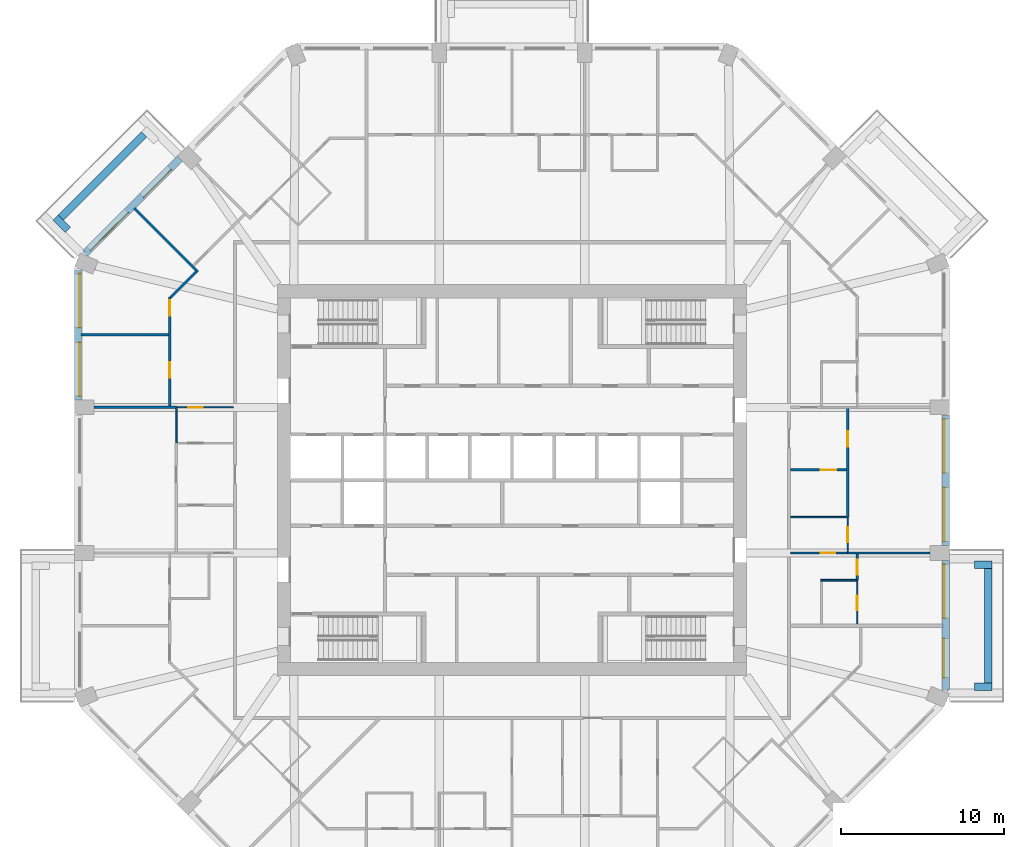
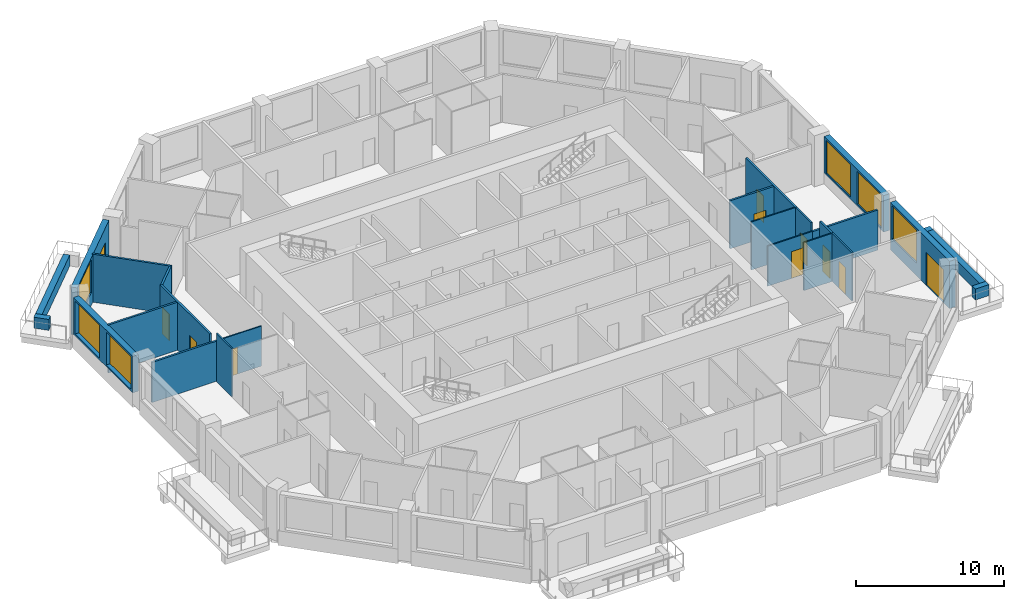
# One storey, part 7 of 12: 25 walls, 11 doors, 6 windows, 17 openings.
"""IFC4 building model written with IfcOpenShell, lengths in metres."""

from ifc_helpers import new_model, si_unit, direction, frame, frame_2d, origin, place, context, subcontext, project, spatial, rectangle, extrude, material, layer, layer_set, type_object, element, fill, save


model = new_model("IFC4")

# Units and contexts
model_context = context("Model", 3, precision=1e-05, world=origin(), true_north=direction((0.0, 1.0)))
body_context = subcontext(model_context, "Body", "Model", "MODEL_VIEW")
ifc_project = project(units=[si_unit("LENGTHUNIT", "METRE"), si_unit("AREAUNIT", "SQUARE_METRE"), si_unit("VOLUMEUNIT", "CUBIC_METRE"), si_unit("PLANEANGLEUNIT", "RADIAN"), si_unit("MASSUNIT", "GRAM", prefix="KILO")], contexts=[model_context])

# Site, building, storey
site_placement = place(None, origin())
site = spatial("IfcSite", under=ifc_project, at=site_placement, CompositionType="ELEMENT")
building_placement = place(site_placement, origin())
building = spatial("IfcBuilding", under=site, at=building_placement, Name="Msitu Wima Residences", CompositionType="ELEMENT")
storey_placement = place(building_placement, frame((0.0, 0.0, 123.300048828125)))
storey = spatial("IfcBuildingStorey", under=building, at=storey_placement, Name="L28", CompositionType="ELEMENT", Elevation=123.300048828125)

# Walls
ifc_material_1 = material(Name="Facing brick")
ifc_layer_1 = layer(ifc_material_1, 0.06494140625, Name="Facing brick")
ifc_material_2 = material(Name="Concrete C40/50", Category="concrete")
ifc_layer_2 = layer(ifc_material_2, 0.156005859375, Name="Concrete C40/50")
ifc_material_3 = material(Name="Waterproofing membrane")
ifc_layer_3 = layer(ifc_material_3, 0.00390625, Name="Waterproofing membrane")
ifc_material_4 = material(Name="Planting soil and planting")
ifc_layer_4 = layer(ifc_material_4, 0.22509765625, Name="Planting soil and planting")
ifc_layer_set_1 = layer_set([ifc_layer_1, ifc_layer_2, ifc_layer_3, ifc_layer_4], Name="Concrete C40/50")
wall_type_1 = type_object("IfcWallType", Name="Balcony planter PLANTER PL450", PredefinedType="USERDEFINED", material=ifc_layer_set_1)
wall_1_placement = place(storey_placement, frame((29.22509765625, -12.455810546875, 0.0), z_axis=(0.0, 0.0, 1.0), x_axis=(0.0, 1.0, 0.0)))
element("IfcWall", 1, at=wall_1_placement, inside=storey, type_object=wall_type_1, Name="Balcony planter E0 L28", ObjectType="PLANTER", PredefinedType="USERDEFINED", context=body_context, shape_type="SweptSolid", body=[
    extrude(rectangle(XDim=7.037109375, YDim=0.449951171875, at=frame_2d((3.5185546875, 0.0))), origin(), (0.0, 0.0, 1.0), 0.89990234375),
])
for number, where, z_axis, x_axis, name in (
    (2, (28.39990234375, -12.680908203125, 0.0), (0.0, 0.0, 1.0), (1.0, 0.0, 0.0), "Balcony planter E0 L28"),
    (3, (28.39990234375, -5.193603515625, 0.0), (0.0, 0.0, 1.0), (1.0, 0.0, 0.0), "Balcony planter E0 L28"),
):
    element("IfcWall", number, at=place(storey_placement, frame(where, z_axis=z_axis, x_axis=x_axis)), inside=storey, type_object=wall_type_1, Name=name, ObjectType="PLANTER", PredefinedType="USERDEFINED", context=body_context, shape_type="SweptSolid", body=[
        extrude(rectangle(XDim=1.050048828125, YDim=0.449951171875, at=frame_2d((0.52490234375, 0.0))), origin(), (0.0, 0.0, 1.0), 0.89990234375),
    ])
wall_2_placement = place(storey_placement, frame((-22.572265625, 21.228759765625, 0.0), z_axis=(0.0, 0.0, 1.0), x_axis=(-0.707106781187, -0.707106781187, 0.0)))
element("IfcWall", 4, at=wall_2_placement, inside=storey, type_object=wall_type_1, Name="Balcony planter NW1 L28", ObjectType="PLANTER", PredefinedType="USERDEFINED", context=body_context, shape_type="SweptSolid", body=[
    extrude(rectangle(XDim=7.23828125, YDim=0.449951171875, at=frame_2d((3.619140625, 0.0))), origin(), (0.0, 0.0, 1.0), 0.89990234375),
])
wall_3_placement = place(storey_placement, frame((-27.26611328125, 15.3681640625, 0.0), z_axis=(0.0, 0.0, 1.0), x_axis=(-0.707223014731, 0.706990528533, 0.0)))
element("IfcWall", 5, at=wall_3_placement, inside=storey, type_object=wall_type_1, Name="Balcony planter NW1 L28", ObjectType="PLANTER", PredefinedType="USERDEFINED", context=body_context, shape_type="SweptSolid", body=[
    extrude(rectangle(XDim=1.050048828125, YDim=0.449951171875, at=frame_2d((0.52490234375, 0.0))), origin(), (0.0, 0.0, 1.0), 0.89990234375),
])

# Wall, openings, door, window
ifc_material_5 = material(Name="Brick (red buff mix)", Category="masonry")
ifc_layer_5 = layer(ifc_material_5, 0.449951171875)
ifc_layer_set_2 = layer_set([ifc_layer_5], Name="Brick (red buff mix)")
wall_type_2 = type_object("IfcWallType", Name="Brick infill wall BW450", PredefinedType="SOLIDWALL", material=ifc_layer_set_2)
wall_4_placement = place(storey_placement, frame((26.625, -12.918701171875, 0.0), z_axis=(0.0, 0.0, 1.0), x_axis=(0.0, 1.0, 0.0)))
wall_4 = element("IfcWall", 6, at=wall_4_placement, inside=storey, type_object=wall_type_2, Name="Brick infill wall L28 E0", PredefinedType="SOLIDWALL", context=body_context, shape_type="SweptSolid", body=[
    extrude(rectangle(XDim=8.0, YDim=0.449951171875, at=frame_2d((4.0, 0.0))), origin(), (0.0, 0.0, 1.0), 3.89990234375),
])
opening_1_placement = place(wall_4_placement, frame((0.800048828125, 0.0, 0.0)))
opening_1 = element("IfcOpeningElement", 7, at=opening_1_placement, cuts=wall_4, Name="Opening D27-29.001", PredefinedType="OPENING", context=body_context, shape_type="SweptSolid", body=[
    extrude(rectangle(XDim=2.39990234375, YDim=2.699951171875, at=frame_2d((1.199951171875, 1.35009765625))), frame((0.0, 0.23486328125, 0.0), z_axis=(0.0, -1.0, 0.0), x_axis=(1.0, 0.0, 0.0)), (0.0, 0.0, 1.0), 0.469970703125),
])
opening_2_placement = place(wall_4_placement, frame((4.4501953125, 0.0, 1.050048828125)))
opening_2 = element("IfcOpeningElement", 8, at=opening_2_placement, cuts=wall_4, Name="Opening W27-29.001", PredefinedType="OPENING", context=body_context, shape_type="SweptSolid", body=[
    extrude(rectangle(XDim=3.300048828125, YDim=2.699951171875, at=frame_2d((1.64990234375, 1.35009765625))), frame((0.0, 0.23486328125, 0.0), z_axis=(0.0, -1.0, 0.0), x_axis=(1.0, 0.0, 0.0)), (0.0, 0.0, 1.0), 0.469970703125),
])
ifc_material_6 = material(Name="Anodised aluminium, bronze finish, clear low-emissivity double glazing", Category="aluminium")
door_type_1 = type_object("IfcDoorType", Name="Balcony door D2400x2700", OperationType="SLIDING_TO_LEFT", PredefinedType="DOOR", material=ifc_material_6)
door_1_placement = place(opening_1_placement, origin())
door_1 = element("IfcDoor", 9, at=door_1_placement, inside=storey, type_object=door_type_1, Name="Balcony door L28 E0", OperationType="SINGLE_SWING_LEFT", OverallHeight=2.699951171875, OverallWidth=2.39990234375, PredefinedType="DOOR", context=body_context, shape_type="SweptSolid", body=[
    extrude(rectangle(XDim=2.39990234375, YDim=2.699951171875, at=frame_2d((1.199951171875, 1.35009765625))), frame((0.0, 0.1298828125, 0.0), z_axis=(0.0, -1.0, 0.0), x_axis=(1.0, 0.0, 0.0)), (0.0, 0.0, 1.0), 0.050048828125),
])
fill(opening_1, door_1)
window_type = type_object("IfcWindowType", Name="Window W3300x2700", PartitioningType="DOUBLE_PANEL_VERTICAL", PredefinedType="WINDOW", material=ifc_material_6)
window_1_placement = place(opening_2_placement, origin())
window_1 = element("IfcWindow", 10, at=window_1_placement, inside=storey, type_object=window_type, Name="Window L28 E0.2", OverallHeight=2.699951171875, OverallWidth=3.300048828125, PartitioningType="SINGLE_PANEL", PredefinedType="WINDOW", context=body_context, shape_type="SweptSolid", body=[
    extrude(rectangle(XDim=3.300048828125, YDim=2.699951171875, at=frame_2d((1.64990234375, 1.35009765625))), frame((0.0, 0.135009765625, 0.0), z_axis=(0.0, -1.0, 0.0), x_axis=(1.0, 0.0, 0.0)), (0.0, 0.0, 1.0), 0.06005859375),
])
fill(opening_2, window_1)

# Wall, openings, windows
wall_5_placement = place(storey_placement, frame((26.625, -4.0185546875, 0.89990234375), z_axis=(0.0, 0.0, 1.0), x_axis=(0.0, 1.0, 0.0)))
wall_5 = element("IfcWall", 11, at=wall_5_placement, inside=storey, type_object=wall_type_2, Name="Brick infill wall L28 E1", PredefinedType="SOLIDWALL", context=body_context, shape_type="SweptSolid", body=[
    extrude(rectangle(XDim=8.037109375, YDim=0.449951171875, at=frame_2d((4.0185546875, 0.0))), origin(), (0.0, 0.0, 1.0), 3.0),
])
opening_3_placement = place(wall_5_placement, frame((0.2685546875, 0.0, 0.14990234375)))
opening_3 = element("IfcOpeningElement", 12, at=opening_3_placement, cuts=wall_5, Name="Opening W27-29.002", PredefinedType="OPENING", context=body_context, shape_type="SweptSolid", body=[
    extrude(rectangle(XDim=3.300048828125, YDim=2.699951171875, at=frame_2d((1.64990234375, 1.35009765625))), frame((0.0, 0.23486328125, 0.0), z_axis=(0.0, -1.0, 0.0), x_axis=(1.0, 0.0, 0.0)), (0.0, 0.0, 1.0), 0.469970703125),
])
opening_4_placement = place(wall_5_placement, frame((4.46875, 0.0, 0.14990234375)))
opening_4 = element("IfcOpeningElement", 13, at=opening_4_placement, cuts=wall_5, Name="Opening W27-29.003", PredefinedType="OPENING", context=body_context, shape_type="SweptSolid", body=[
    extrude(rectangle(XDim=3.300048828125, YDim=2.699951171875, at=frame_2d((1.64990234375, 1.35009765625))), frame((0.0, 0.23486328125, 0.0), z_axis=(0.0, -1.0, 0.0), x_axis=(1.0, 0.0, 0.0)), (0.0, 0.0, 1.0), 0.469970703125),
])
window_2_placement = place(opening_3_placement, origin())
window_2 = element("IfcWindow", 14, at=window_2_placement, inside=storey, type_object=window_type, Name="Window L28 E1.1", OverallHeight=2.699951171875, OverallWidth=3.300048828125, PartitioningType="SINGLE_PANEL", PredefinedType="WINDOW", context=body_context, shape_type="SweptSolid", body=[
    extrude(rectangle(XDim=3.300048828125, YDim=2.699951171875, at=frame_2d((1.64990234375, 1.35009765625))), frame((0.0, 0.135009765625, 0.0), z_axis=(0.0, -1.0, 0.0), x_axis=(1.0, 0.0, 0.0)), (0.0, 0.0, 1.0), 0.06005859375),
])
fill(opening_3, window_2)
window_3_placement = place(opening_4_placement, origin())
window_3 = element("IfcWindow", 15, at=window_3_placement, inside=storey, type_object=window_type, Name="Window L28 E1.2", OverallHeight=2.699951171875, OverallWidth=3.300048828125, PartitioningType="SINGLE_PANEL", PredefinedType="WINDOW", context=body_context, shape_type="SweptSolid", body=[
    extrude(rectangle(XDim=3.300048828125, YDim=2.699951171875, at=frame_2d((1.64990234375, 1.35009765625))), frame((0.0, 0.135009765625, 0.0), z_axis=(0.0, -1.0, 0.0), x_axis=(1.0, 0.0, 0.0)), (0.0, 0.0, 1.0), 0.06005859375),
])
fill(opening_4, window_3)

# Wall, openings, door, window
wall_6_placement = place(storey_placement, frame((-20.380126953125, 19.743896484375, 0.0), z_axis=(0.0, 0.0, 1.0), x_axis=(-0.707106781187, -0.707106781187, 0.0)))
wall_6 = element("IfcWall", 16, at=wall_6_placement, inside=storey, type_object=wall_type_2, Name="Brick infill wall L28 NW1", PredefinedType="SOLIDWALL", context=body_context, shape_type="SweptSolid", body=[
    extrude(rectangle(XDim=8.251220703125, YDim=0.449951171875, at=frame_2d((4.12548828125, 0.0))), origin(), (0.0, 0.0, 1.0), 3.89990234375),
])
opening_5_placement = place(wall_6_placement, frame((0.86279296875, 0.0, 0.0)))
opening_5 = element("IfcOpeningElement", 17, at=opening_5_placement, cuts=wall_6, Name="Opening D27-29.004", PredefinedType="OPENING", context=body_context, shape_type="SweptSolid", body=[
    extrude(rectangle(XDim=2.39990234375, YDim=2.699951171875, at=frame_2d((1.199951171875, 1.35009765625))), frame((0.0, 0.23486328125, 0.0), z_axis=(0.0, -1.0, 0.0), x_axis=(1.0, 0.0, 0.0)), (0.0, 0.0, 1.0), 0.469970703125),
])
opening_6_placement = place(wall_6_placement, frame((4.57568359375, 0.0, 1.050048828125)))
opening_6 = element("IfcOpeningElement", 18, at=opening_6_placement, cuts=wall_6, Name="Opening W27-29.016", PredefinedType="OPENING", context=body_context, shape_type="SweptSolid", body=[
    extrude(rectangle(XDim=3.300048828125, YDim=2.699951171875, at=frame_2d((1.64990234375, 1.35009765625))), frame((0.0, 0.23486328125, 0.0), z_axis=(0.0, -1.0, 0.0), x_axis=(1.0, 0.0, 0.0)), (0.0, 0.0, 1.0), 0.469970703125),
])
door_2_placement = place(opening_5_placement, origin())
door_2 = element("IfcDoor", 19, at=door_2_placement, inside=storey, type_object=door_type_1, Name="Balcony door L28 NW1", OperationType="SINGLE_SWING_LEFT", OverallHeight=2.699951171875, OverallWidth=2.39990234375, PredefinedType="DOOR", context=body_context, shape_type="SweptSolid", body=[
    extrude(rectangle(XDim=2.39990234375, YDim=2.699951171875, at=frame_2d((1.199951171875, 1.35009765625))), frame((0.0, 0.1298828125, 0.0), z_axis=(0.0, -1.0, 0.0), x_axis=(1.0, 0.0, 0.0)), (0.0, 0.0, 1.0), 0.050048828125),
])
fill(opening_5, door_2)
window_4_placement = place(opening_6_placement, origin())
window_4 = element("IfcWindow", 20, at=window_4_placement, inside=storey, type_object=window_type, Name="Window L28 NW1.2", OverallHeight=2.699951171875, OverallWidth=3.300048828125, PartitioningType="SINGLE_PANEL", PredefinedType="WINDOW", context=body_context, shape_type="SweptSolid", body=[
    extrude(rectangle(XDim=3.300048828125, YDim=2.699951171875, at=frame_2d((1.64990234375, 1.35009765625))), frame((0.0, 0.135009765625, 0.0), z_axis=(0.0, -1.0, 0.0), x_axis=(1.0, 0.0, 0.0)), (0.0, 0.0, 1.0), 0.06005859375),
])
fill(opening_6, window_4)

# Wall, openings, windows
wall_7_placement = place(storey_placement, frame((-26.625, 12.918701171875, 0.89990234375), z_axis=(0.0, 0.0, 1.0), x_axis=(0.0, -1.0, 0.0)))
wall_7 = element("IfcWall", 21, at=wall_7_placement, inside=storey, type_object=wall_type_2, Name="Brick infill wall L28 W0", PredefinedType="SOLIDWALL", context=body_context, shape_type="SweptSolid", body=[
    extrude(rectangle(XDim=8.0, YDim=0.449951171875, at=frame_2d((4.0, 0.0))), origin(), (0.0, 0.0, 1.0), 3.0),
])
opening_7_placement = place(wall_7_placement, frame((0.25, 0.0, 0.14990234375)))
opening_7 = element("IfcOpeningElement", 22, at=opening_7_placement, cuts=wall_7, Name="Opening W27-29.029", PredefinedType="OPENING", context=body_context, shape_type="SweptSolid", body=[
    extrude(rectangle(XDim=3.300048828125, YDim=2.699951171875, at=frame_2d((1.64990234375, 1.35009765625))), frame((0.0, 0.23486328125, 0.0), z_axis=(0.0, -1.0, 0.0), x_axis=(1.0, 0.0, 0.0)), (0.0, 0.0, 1.0), 0.469970703125),
])
opening_8_placement = place(wall_7_placement, frame((4.4501953125, 0.0, 0.14990234375)))
opening_8 = element("IfcOpeningElement", 23, at=opening_8_placement, cuts=wall_7, Name="Opening W27-29.030", PredefinedType="OPENING", context=body_context, shape_type="SweptSolid", body=[
    extrude(rectangle(XDim=3.300048828125, YDim=2.699951171875, at=frame_2d((1.64990234375, 1.35009765625))), frame((0.0, 0.23486328125, 0.0), z_axis=(0.0, -1.0, 0.0), x_axis=(1.0, 0.0, 0.0)), (0.0, 0.0, 1.0), 0.469970703125),
])
window_5_placement = place(opening_7_placement, origin())
window_5 = element("IfcWindow", 24, at=window_5_placement, inside=storey, type_object=window_type, Name="Window L28 W0.1", OverallHeight=2.699951171875, OverallWidth=3.300048828125, PartitioningType="SINGLE_PANEL", PredefinedType="WINDOW", context=body_context, shape_type="SweptSolid", body=[
    extrude(rectangle(XDim=3.300048828125, YDim=2.699951171875, at=frame_2d((1.64990234375, 1.35009765625))), frame((0.0, 0.135009765625, 0.0), z_axis=(0.0, -1.0, 0.0), x_axis=(1.0, 0.0, 0.0)), (0.0, 0.0, 1.0), 0.06005859375),
])
fill(opening_7, window_5)
window_6_placement = place(opening_8_placement, origin())
window_6 = element("IfcWindow", 25, at=window_6_placement, inside=storey, type_object=window_type, Name="Window L28 W0.2", OverallHeight=2.699951171875, OverallWidth=3.300048828125, PartitioningType="SINGLE_PANEL", PredefinedType="WINDOW", context=body_context, shape_type="SweptSolid", body=[
    extrude(rectangle(XDim=3.300048828125, YDim=2.699951171875, at=frame_2d((1.64990234375, 1.35009765625))), frame((0.0, 0.135009765625, 0.0), z_axis=(0.0, -1.0, 0.0), x_axis=(1.0, 0.0, 0.0)), (0.0, 0.0, 1.0), 0.06005859375),
])
fill(opening_8, window_6)

# Walls
ifc_material_7 = material(Name="Plaster")
ifc_layer_6 = layer(ifc_material_7, 0.011962890625, Name="Plaster")
ifc_material_8 = material(Name="Concrete blockwork", Category="masonry")
ifc_layer_7 = layer(ifc_material_8, 0.1259765625, Name="Concrete blockwork")
ifc_layer_8 = layer(ifc_material_7, 0.011962890625, Name="Plaster")
ifc_layer_set_3 = layer_set([ifc_layer_6, ifc_layer_7, ifc_layer_8], Name="Concrete blockwork")
wall_type_3 = type_object("IfcWallType", Name="Partition PW150", PredefinedType="PARTITIONING", material=ifc_layer_set_3)
wall_8_placement = place(storey_placement, frame((-25.64990234375, 4.46875, 0.0), z_axis=(0.0, 0.0, 1.0), x_axis=(1.0, 0.0, 0.0)))
element("IfcWall", 26, at=wall_8_placement, inside=storey, type_object=wall_type_3, Name="Partition", PredefinedType="PARTITIONING", context=body_context, shape_type="SweptSolid", body=[
    extrude(rectangle(XDim=5.06982421875, YDim=0.14990234375, at=frame_2d((2.534912109375, 0.0))), origin(), (0.0, 0.0, 1.0), 3.300048828125),
])
wall_9_placement = place(storey_placement, frame((-26.455078125, 8.937255859375, 0.0), z_axis=(0.0, 0.0, 1.0), x_axis=(1.0, 0.0, 0.0)))
element("IfcWall", 27, at=wall_9_placement, inside=storey, type_object=wall_type_3, Name="Partition", PredefinedType="PARTITIONING", context=body_context, shape_type="SweptSolid", body=[
    extrude(rectangle(XDim=5.380126953125, YDim=0.14990234375, at=frame_2d((2.68994140625, 0.0))), origin(), (0.0, 0.0, 1.0), 3.949951171875),
])
wall_10_placement = place(storey_placement, frame((-23.1904296875, 16.693359375, 0.0), z_axis=(0.0, 0.0, 1.0), x_axis=(0.707106781187, -0.707106781187, 0.0)))
element("IfcWall", 28, at=wall_10_placement, inside=storey, type_object=wall_type_3, Name="Partition", PredefinedType="PARTITIONING", context=body_context, shape_type="SweptSolid", body=[
    extrude(rectangle(XDim=5.530029296875, YDim=0.14990234375, at=frame_2d((2.76513671875, 0.0))), origin(), (0.0, 0.0, 1.0), 3.949951171875),
])

# Wall, openings, doors
wall_11_placement = place(storey_placement, frame((-21.0, 4.543701171875, 0.0), z_axis=(0.0, 0.0, 1.0), x_axis=(0.0, 1.0, 0.0)))
wall_11 = element("IfcWall", 29, at=wall_11_placement, inside=storey, type_object=wall_type_3, Name="Partition", PredefinedType="PARTITIONING", context=body_context, shape_type="SweptSolid", body=[
    extrude(rectangle(XDim=6.700439453125, YDim=0.14990234375, at=frame_2d((3.35009765625, 0.0))), origin(), (0.0, 0.0, 1.0), 3.949951171875),
])
opening_9_placement = place(wall_11_placement, frame((1.75, 0.0, 0.0)))
opening_9 = element("IfcOpeningElement", 30, at=opening_9_placement, cuts=wall_11, Name="Opening D27-29.054", PredefinedType="OPENING", context=body_context, shape_type="SweptSolid", body=[
    extrude(rectangle(XDim=0.949951171875, YDim=2.199951171875, at=frame_2d((0.47509765625, 1.10009765625))), frame((0.0, 0.0849609375, 0.0), z_axis=(0.0, -1.0, 0.0), x_axis=(1.0, 0.0, 0.0)), (0.0, 0.0, 1.0), 0.169921875),
])
opening_10_placement = place(wall_11_placement, frame((5.550048828125, 0.0, 0.0)))
opening_10 = element("IfcOpeningElement", 31, at=opening_10_placement, cuts=wall_11, Name="Opening D27-29.063", PredefinedType="OPENING", context=body_context, shape_type="SweptSolid", body=[
    extrude(rectangle(XDim=0.949951171875, YDim=2.199951171875, at=frame_2d((0.47509765625, 1.10009765625))), frame((0.0, 0.0849609375, 0.0), z_axis=(0.0, -1.0, 0.0), x_axis=(1.0, 0.0, 0.0)), (0.0, 0.0, 1.0), 0.169921875),
])
ifc_material_9 = material(Name="Timber flush door", Category="wood")
door_type_2 = type_object("IfcDoorType", Name="Room door D12 950x2200", OperationType="SINGLE_SWING_LEFT", PredefinedType="DOOR", material=ifc_material_9)
door_3_placement = place(opening_9_placement, origin())
door_3 = element("IfcDoor", 32, at=door_3_placement, inside=storey, type_object=door_type_2, Name="Room door", OperationType="SINGLE_SWING_RIGHT", OverallHeight=2.199951171875, OverallWidth=0.949951171875, PredefinedType="DOOR", context=body_context, shape_type="SweptSolid", body=[
    extrude(rectangle(XDim=0.949951171875, YDim=2.199951171875, at=frame_2d((0.47509765625, 1.10009765625))), frame((0.0, 0.02490234375, 0.0), z_axis=(0.0, -1.0, 0.0), x_axis=(1.0, 0.0, 0.0)), (0.0, 0.0, 1.0), 0.050048828125),
])
fill(opening_9, door_3)
door_4_placement = place(opening_10_placement, origin())
door_4 = element("IfcDoor", 33, at=door_4_placement, inside=storey, type_object=door_type_2, Name="Room door", OperationType="SINGLE_SWING_LEFT", OverallHeight=2.199951171875, OverallWidth=0.949951171875, PredefinedType="DOOR", context=body_context, shape_type="SweptSolid", body=[
    extrude(rectangle(XDim=0.949951171875, YDim=2.199951171875, at=frame_2d((0.47509765625, 1.10009765625))), frame((0.0, 0.02490234375, 0.0), z_axis=(0.0, -1.0, 0.0), x_axis=(1.0, 0.0, 0.0)), (0.0, 0.0, 1.0), 0.050048828125),
])
fill(opening_10, door_4)

# Wall
wall_12_placement = place(storey_placement, frame((-20.947021484375, 11.22216796875, 0.0), z_axis=(0.0, 0.0, 1.0), x_axis=(0.707106781187, 0.707106781187, 0.0)))
element("IfcWall", 34, at=wall_12_placement, inside=storey, type_object=wall_type_3, Name="Partition", PredefinedType="PARTITIONING", context=body_context, shape_type="SweptSolid", body=[
    extrude(rectangle(XDim=2.207275390625, YDim=0.14990234375, at=frame_2d((1.103515625, 0.0))), origin(), (0.0, 0.0, 1.0), 3.949951171875),
])

# Wall, opening, door
wall_13_placement = place(storey_placement, frame((17.10009765625, 0.63134765625, 0.0), z_axis=(0.0, 0.0, 1.0), x_axis=(1.0, 0.0, 0.0)))
wall_13 = element("IfcWall", 35, at=wall_13_placement, inside=storey, type_object=wall_type_3, Name="Partition", PredefinedType="PARTITIONING", context=body_context, shape_type="SweptSolid", body=[
    extrude(rectangle(XDim=3.4248046875, YDim=0.14990234375, at=frame_2d((1.71240234375, 0.0))), origin(), (0.0, 0.0, 1.0), 3.949951171875),
])
opening_11_placement = place(wall_13_placement, frame((1.85009765625, 0.0, 0.0)))
opening_11 = element("IfcOpeningElement", 36, at=opening_11_placement, cuts=wall_13, Name="Opening D27-29.040", PredefinedType="OPENING", context=body_context, shape_type="SweptSolid", body=[
    extrude(rectangle(XDim=0.949951171875, YDim=2.199951171875, at=frame_2d((0.47509765625, 1.10009765625))), frame((0.0, 0.0849609375, 0.0), z_axis=(0.0, -1.0, 0.0), x_axis=(1.0, 0.0, 0.0)), (0.0, 0.0, 1.0), 0.169921875),
])
door_5_placement = place(opening_11_placement, origin())
door_5 = element("IfcDoor", 37, at=door_5_placement, inside=storey, type_object=door_type_2, Name="Room door", OperationType="SINGLE_SWING_LEFT", OverallHeight=2.199951171875, OverallWidth=0.949951171875, PredefinedType="DOOR", context=body_context, shape_type="SweptSolid", body=[
    extrude(rectangle(XDim=0.949951171875, YDim=2.199951171875, at=frame_2d((0.47509765625, 1.10009765625))), frame((0.0, 0.02490234375, 0.0), z_axis=(0.0, -1.0, 0.0), x_axis=(1.0, 0.0, 0.0)), (0.0, 0.0, 1.0), 0.050048828125),
])
fill(opening_11, door_5)

# Wall
wall_14_placement = place(storey_placement, frame((20.580078125, -4.46875, 0.0), z_axis=(0.0, 0.0, 1.0), x_axis=(1.0, 0.0, 0.0)))
element("IfcWall", 38, at=wall_14_placement, inside=storey, type_object=wall_type_3, Name="Partition", PredefinedType="PARTITIONING", context=body_context, shape_type="SweptSolid", body=[
    extrude(rectangle(XDim=5.06982421875, YDim=0.14990234375, at=frame_2d((2.534912109375, 0.0))), origin(), (0.0, 0.0, 1.0), 3.300048828125),
])

# Wall, opening, door
wall_15_placement = place(storey_placement, frame((20.60009765625, -2.28857421875, 0.0), z_axis=(0.0, 0.0, 1.0), x_axis=(0.0, 1.0, 0.0)))
wall_15 = element("IfcWall", 39, at=wall_15_placement, inside=storey, type_object=wall_type_3, Name="Partition", PredefinedType="PARTITIONING", context=body_context, shape_type="SweptSolid", body=[
    extrude(rectangle(XDim=6.707275390625, YDim=0.14990234375, at=frame_2d((3.353515625, 0.0))), origin(), (0.0, 0.0, 1.0), 3.949951171875),
])
opening_12_placement = place(wall_15_placement, frame((4.35009765625, 0.0, 0.0)))
opening_12 = element("IfcOpeningElement", 40, at=opening_12_placement, cuts=wall_15, Name="Opening D27-29.037", PredefinedType="OPENING", context=body_context, shape_type="SweptSolid", body=[
    extrude(rectangle(XDim=0.949951171875, YDim=2.199951171875, at=frame_2d((0.47509765625, 1.10009765625))), frame((0.0, 0.0849609375, 0.0), z_axis=(0.0, -1.0, 0.0), x_axis=(1.0, 0.0, 0.0)), (0.0, 0.0, 1.0), 0.169921875),
])
door_6_placement = place(opening_12_placement, origin())
door_6 = element("IfcDoor", 41, at=door_6_placement, inside=storey, type_object=door_type_2, Name="Room door", OperationType="SINGLE_SWING_LEFT", OverallHeight=2.199951171875, OverallWidth=0.949951171875, PredefinedType="DOOR", context=body_context, shape_type="SweptSolid", body=[
    extrude(rectangle(XDim=0.949951171875, YDim=2.199951171875, at=frame_2d((0.47509765625, 1.10009765625))), frame((0.0, 0.02490234375, 0.0), z_axis=(0.0, -1.0, 0.0), x_axis=(1.0, 0.0, 0.0)), (0.0, 0.0, 1.0), 0.050048828125),
])
fill(opening_12, door_6)

wall_16_placement = place(storey_placement, frame((21.199951171875, -6.1171875, 0.0), z_axis=(0.0, 0.0, 1.0), x_axis=(0.0, 1.0, 0.0)))
wall_16 = element("IfcWall", 42, at=wall_16_placement, inside=storey, type_object=wall_type_3, Name="Partition", PredefinedType="PARTITIONING", context=body_context, shape_type="SweptSolid", body=[
    extrude(rectangle(XDim=1.573486328125, YDim=0.14990234375, at=frame_2d((0.78662109375, 0.0))), origin(), (0.0, 0.0, 1.0), 3.949951171875),
])
opening_13_placement = place(wall_16_placement, frame((0.300048828125, 0.0, 0.0)))
opening_13 = element("IfcOpeningElement", 43, at=opening_13_placement, cuts=wall_16, Name="Opening D27-29.046", PredefinedType="OPENING", context=body_context, shape_type="SweptSolid", body=[
    extrude(rectangle(XDim=0.949951171875, YDim=2.199951171875, at=frame_2d((0.47509765625, 1.10009765625))), frame((0.0, 0.0849609375, 0.0), z_axis=(0.0, -1.0, 0.0), x_axis=(1.0, 0.0, 0.0)), (0.0, 0.0, 1.0), 0.169921875),
])
door_7_placement = place(opening_13_placement, origin())
door_7 = element("IfcDoor", 44, at=door_7_placement, inside=storey, type_object=door_type_2, Name="Room door", OperationType="SINGLE_SWING_LEFT", OverallHeight=2.199951171875, OverallWidth=0.949951171875, PredefinedType="DOOR", context=body_context, shape_type="SweptSolid", body=[
    extrude(rectangle(XDim=0.949951171875, YDim=2.199951171875, at=frame_2d((0.47509765625, 1.10009765625))), frame((0.0, 0.02490234375, 0.0), z_axis=(0.0, -1.0, 0.0), x_axis=(1.0, 0.0, 0.0)), (0.0, 0.0, 1.0), 0.050048828125),
])
fill(opening_13, door_7)

ifc_material_10 = material(Name="Ceramic tiles")
ifc_layer_9 = layer(ifc_material_10, 0.008056640625, Name="Ceramic tiles")
ifc_material_11 = material(Name="Moisture-resistant board")
ifc_layer_10 = layer(ifc_material_11, 0.012451171875, Name="Moisture-resistant board")
ifc_material_12 = material(Name="Light-gauge stud framing with mineral wool")
ifc_layer_11 = layer(ifc_material_12, 0.06689453125, Name="Light-gauge stud framing with mineral wool")
ifc_layer_12 = layer(ifc_material_11, 0.012451171875, Name="Moisture-resistant board")
ifc_layer_set_4 = layer_set([ifc_layer_9, ifc_layer_10, ifc_layer_11, ifc_layer_12], Name="Light-gauge stud framing with mineral wool")
wall_type_4 = type_object("IfcWallType", Name="Wet wall PW100", PredefinedType="PARTITIONING", material=ifc_layer_set_4)
wall_17_placement = place(storey_placement, frame((-20.580078125, 4.46875, 0.0), z_axis=(0.0, 0.0, 1.0), x_axis=(1.0, 0.0, 0.0)))
wall_17 = element("IfcWall", 45, at=wall_17_placement, inside=storey, type_object=wall_type_4, Name="Wet wall", PredefinedType="PARTITIONING", context=body_context, shape_type="SweptSolid", body=[
    extrude(rectangle(XDim=3.47998046875, YDim=0.10009765625, at=frame_2d((1.739990234375, 0.0))), origin(), (0.0, 0.0, 1.0), 3.300048828125),
])
opening_14_placement = place(wall_17_placement, frame((0.699951171875, 0.0, 0.0)))
opening_14 = element("IfcOpeningElement", 46, at=opening_14_placement, cuts=wall_17, Name="Opening D27-29.052", PredefinedType="OPENING", context=body_context, shape_type="SweptSolid", body=[
    extrude(rectangle(XDim=0.89990234375, YDim=2.199951171875, at=frame_2d((0.449951171875, 1.10009765625))), frame((0.0, 0.06005859375, 0.0), z_axis=(0.0, -1.0, 0.0), x_axis=(1.0, 0.0, 0.0)), (0.0, 0.0, 1.0), 0.1201171875),
])
ifc_material_13 = material(Name="Timber flush door, moisture resistant", Category="wood")
door_type_3 = type_object("IfcDoorType", Name="Bathroom door D03 900x2200", OperationType="SINGLE_SWING_LEFT", PredefinedType="DOOR", material=ifc_material_13)
door_8_placement = place(opening_14_placement, origin())
door_8 = element("IfcDoor", 47, at=door_8_placement, inside=storey, type_object=door_type_3, Name="Bathroom door", OperationType="SINGLE_SWING_RIGHT", OverallHeight=2.199951171875, OverallWidth=0.89990234375, PredefinedType="DOOR", context=body_context, shape_type="SweptSolid", body=[
    extrude(rectangle(XDim=0.89990234375, YDim=2.199951171875, at=frame_2d((0.449951171875, 1.10009765625))), frame((0.0, 0.02490234375, 0.0), z_axis=(0.0, -1.0, 0.0), x_axis=(1.0, 0.0, 0.0)), (0.0, 0.0, 1.0), 0.050048828125),
])
fill(opening_14, door_8)

# Wall
wall_18_placement = place(storey_placement, frame((-20.60009765625, 2.28857421875, 0.0), z_axis=(0.0, 0.0, 1.0), x_axis=(0.0, 1.0, 0.0)))
element("IfcWall", 48, at=wall_18_placement, inside=storey, type_object=wall_type_4, Name="Wet wall", PredefinedType="PARTITIONING", context=body_context, shape_type="SweptSolid", body=[
    extrude(rectangle(XDim=2.10498046875, YDim=0.10009765625, at=frame_2d((1.052490234375, 0.0))), origin(), (0.0, 0.0, 1.0), 3.949951171875),
])

# Wall, opening, door
wall_19_placement = place(storey_placement, frame((17.10009765625, -4.46875, 0.0), z_axis=(0.0, 0.0, 1.0), x_axis=(1.0, 0.0, 0.0)))
wall_19 = element("IfcWall", 49, at=wall_19_placement, inside=storey, type_object=wall_type_4, Name="Wet wall", PredefinedType="PARTITIONING", context=body_context, shape_type="SweptSolid", body=[
    extrude(rectangle(XDim=3.47998046875, YDim=0.10009765625, at=frame_2d((1.739990234375, 0.0))), origin(), (0.0, 0.0, 1.0), 3.300048828125),
])
opening_15_placement = place(wall_19_placement, frame((1.85009765625, 0.0, 0.0)))
opening_15 = element("IfcOpeningElement", 50, at=opening_15_placement, cuts=wall_19, Name="Opening D27-29.045", PredefinedType="OPENING", context=body_context, shape_type="SweptSolid", body=[
    extrude(rectangle(XDim=0.89990234375, YDim=2.199951171875, at=frame_2d((0.449951171875, 1.10009765625))), frame((0.0, 0.06005859375, 0.0), z_axis=(0.0, -1.0, 0.0), x_axis=(1.0, 0.0, 0.0)), (0.0, 0.0, 1.0), 0.1201171875),
])
door_9_placement = place(opening_15_placement, origin())
door_9 = element("IfcDoor", 51, at=door_9_placement, inside=storey, type_object=door_type_3, Name="Bathroom door", OperationType="SINGLE_SWING_RIGHT", OverallHeight=2.199951171875, OverallWidth=0.89990234375, PredefinedType="DOOR", context=body_context, shape_type="SweptSolid", body=[
    extrude(rectangle(XDim=0.89990234375, YDim=2.199951171875, at=frame_2d((0.449951171875, 1.10009765625))), frame((0.0, 0.02490234375, 0.0), z_axis=(0.0, -1.0, 0.0), x_axis=(1.0, 0.0, 0.0)), (0.0, 0.0, 1.0), 0.050048828125),
])
fill(opening_15, door_9)

# Walls
wall_20_placement = place(storey_placement, frame((17.10009765625, -2.2685546875, 0.0), z_axis=(0.0, 0.0, 1.0), x_axis=(1.0, 0.0, 0.0)))
element("IfcWall", 52, at=wall_20_placement, inside=storey, type_object=wall_type_4, Name="Wet wall", PredefinedType="PARTITIONING", context=body_context, shape_type="SweptSolid", body=[
    extrude(rectangle(XDim=3.4248046875, YDim=0.10009765625, at=frame_2d((1.71240234375, 0.0))), origin(), (0.0, 0.0, 1.0), 3.949951171875),
])
wall_21_placement = place(storey_placement, frame((18.949951171875, -6.13720703125, 0.0), z_axis=(0.0, 0.0, 1.0), x_axis=(1.0, 0.0, 0.0)))
element("IfcWall", 53, at=wall_21_placement, inside=storey, type_object=wall_type_4, Name="Wet wall", PredefinedType="PARTITIONING", context=body_context, shape_type="SweptSolid", body=[
    extrude(rectangle(XDim=2.175048828125, YDim=0.10009765625, at=frame_2d((1.08740234375, 0.0))), origin(), (0.0, 0.0, 1.0), 3.949951171875),
])

# Wall, opening, door
wall_22_placement = place(storey_placement, frame((20.60009765625, -4.3935546875, 0.0), z_axis=(0.0, 0.0, 1.0), x_axis=(0.0, 1.0, 0.0)))
wall_22 = element("IfcWall", 54, at=wall_22_placement, inside=storey, type_object=wall_type_4, Name="Wet wall", PredefinedType="PARTITIONING", context=body_context, shape_type="SweptSolid", body=[
    extrude(rectangle(XDim=2.10498046875, YDim=0.10009765625, at=frame_2d((1.052490234375, 0.0))), origin(), (0.0, 0.0, 1.0), 3.949951171875),
])
opening_16_placement = place(wall_22_placement, frame((0.60009765625, 0.0, 0.0)))
opening_16 = element("IfcOpeningElement", 55, at=opening_16_placement, cuts=wall_22, Name="Opening D27-29.044", PredefinedType="OPENING", context=body_context, shape_type="SweptSolid", body=[
    extrude(rectangle(XDim=0.89990234375, YDim=2.199951171875, at=frame_2d((0.449951171875, 1.10009765625))), frame((0.0, 0.06005859375, 0.0), z_axis=(0.0, -1.0, 0.0), x_axis=(1.0, 0.0, 0.0)), (0.0, 0.0, 1.0), 0.1201171875),
])
door_10_placement = place(opening_16_placement, origin())
door_10 = element("IfcDoor", 56, at=door_10_placement, inside=storey, type_object=door_type_3, Name="Bathroom door", OperationType="SINGLE_SWING_RIGHT", OverallHeight=2.199951171875, OverallWidth=0.89990234375, PredefinedType="DOOR", context=body_context, shape_type="SweptSolid", body=[
    extrude(rectangle(XDim=0.89990234375, YDim=2.199951171875, at=frame_2d((0.449951171875, 1.10009765625))), frame((0.0, 0.02490234375, 0.0), z_axis=(0.0, -1.0, 0.0), x_axis=(1.0, 0.0, 0.0)), (0.0, 0.0, 1.0), 0.050048828125),
])
fill(opening_16, door_10)

wall_23_placement = place(storey_placement, frame((21.199951171875, -8.837158203125, 0.0), z_axis=(0.0, 0.0, 1.0), x_axis=(0.0, 1.0, 0.0)))
wall_23 = element("IfcWall", 57, at=wall_23_placement, inside=storey, type_object=wall_type_4, Name="Wet wall", PredefinedType="PARTITIONING", context=body_context, shape_type="SweptSolid", body=[
    extrude(rectangle(XDim=2.719970703125, YDim=0.10009765625, at=frame_2d((1.35986328125, 0.0))), origin(), (0.0, 0.0, 1.0), 3.949951171875),
])
opening_17_placement = place(wall_23_placement, frame((0.85009765625, 0.0, 0.0)))
opening_17 = element("IfcOpeningElement", 58, at=opening_17_placement, cuts=wall_23, Name="Opening D27-29.047", PredefinedType="OPENING", context=body_context, shape_type="SweptSolid", body=[
    extrude(rectangle(XDim=0.89990234375, YDim=2.199951171875, at=frame_2d((0.449951171875, 1.10009765625))), frame((0.0, 0.06005859375, 0.0), z_axis=(0.0, -1.0, 0.0), x_axis=(1.0, 0.0, 0.0)), (0.0, 0.0, 1.0), 0.1201171875),
])
door_11_placement = place(opening_17_placement, origin())
door_11 = element("IfcDoor", 59, at=door_11_placement, inside=storey, type_object=door_type_3, Name="Bathroom door", OperationType="SINGLE_SWING_LEFT", OverallHeight=2.199951171875, OverallWidth=0.89990234375, PredefinedType="DOOR", context=body_context, shape_type="SweptSolid", body=[
    extrude(rectangle(XDim=0.89990234375, YDim=2.199951171875, at=frame_2d((0.449951171875, 1.10009765625))), frame((0.0, 0.02490234375, 0.0), z_axis=(0.0, -1.0, 0.0), x_axis=(1.0, 0.0, 0.0)), (0.0, 0.0, 1.0), 0.050048828125),
])
fill(opening_17, door_11)

save(model, "model.ifc")
